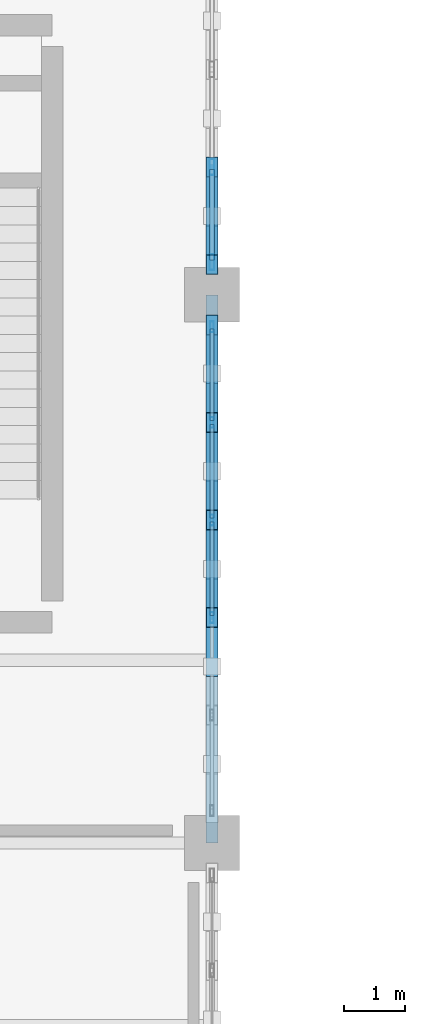
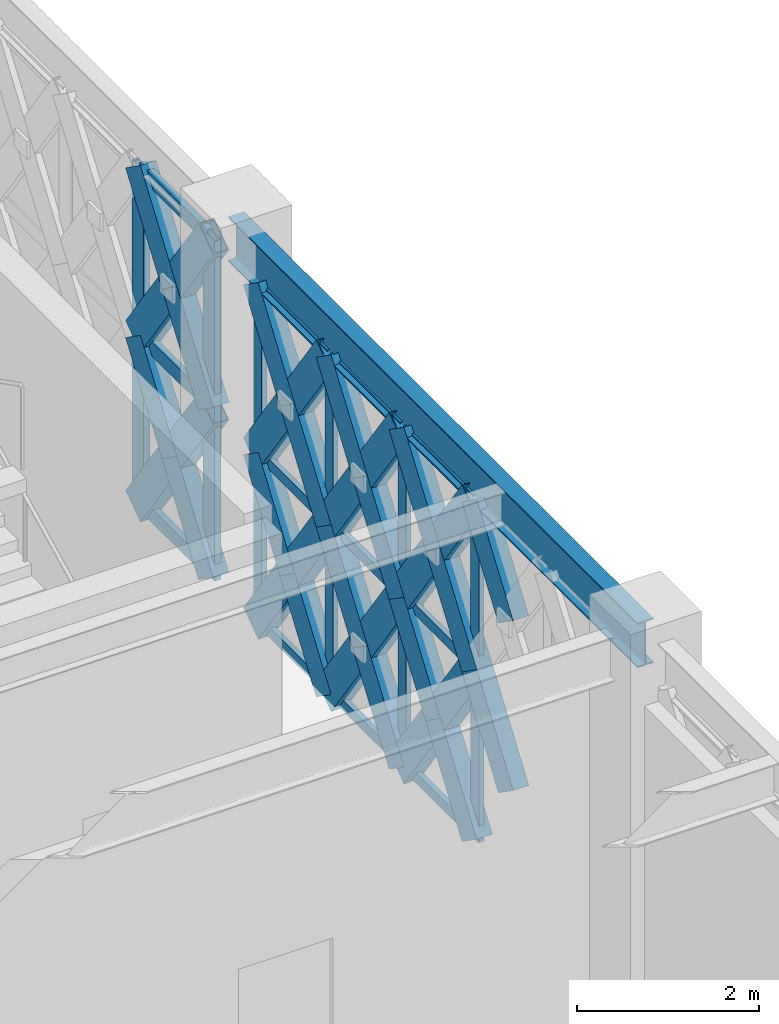
# One storey, part 27 of 155: 44 members, 1 beam, 2 elements without a shape of their own.
"""IFC4 building model written with IfcOpenShell, lengths in metres."""

from ifc_helpers import new_model, si_unit, direction, frame, origin, origin_2d, place, context, subcontext, project, spatial, hollow_rectangle, i_section, extrude, material, material_profile, profile_set, type_object, element, aggregate, save


model = new_model("IFC4")

# Units and contexts
model_context = context("Model", 3, precision=1e-05, world=origin(), true_north=direction((0.0, 1.0)))
body_context = subcontext(model_context, "Body", "Model", "MODEL_VIEW")
ifc_project = project(units=[si_unit("LENGTHUNIT", "METRE"), si_unit("AREAUNIT", "SQUARE_METRE"), si_unit("VOLUMEUNIT", "CUBIC_METRE"), si_unit("PLANEANGLEUNIT", "RADIAN"), si_unit("MASSUNIT", "GRAM", prefix="KILO")], contexts=[model_context])

# Site, building, storey
site_placement = place(None, origin())
site = spatial("IfcSite", under=ifc_project, at=site_placement, CompositionType="ELEMENT")
building_placement = place(site_placement, origin())
building = spatial("IfcBuilding", under=site, at=building_placement, Name="Haizhuo Lancet Aquarium", CompositionType="ELEMENT")
storey_placement = place(building_placement, frame((0.0, 0.0, 10.800048828125)))
storey = spatial("IfcBuildingStorey", under=building, at=storey_placement, Name="L02", CompositionType="ELEMENT", Elevation=10.800048828125)

# Beam
ifc_material_1 = material(Name="Steel S355", Category="steel")
ifc_material_profile_1 = material_profile(ifc_material_1, i_section(OverallWidth=0.199951171875, OverallDepth=0.60009765625, WebThickness=0.010986328125, FlangeThickness=0.01708984375, FilletRadius=0.02197265625, at=origin_2d()), Name="HN 600x200x11x17")
ifc_profile_set_1 = profile_set([ifc_material_profile_1], Name="Steel S355")
beam_type = type_object("IfcBeamType", Name="BM-ST-HN600", PredefinedType="BEAM", material=ifc_profile_set_1)
beam_placement = place(storey_placement, frame((-36.0, -27.0, 4.85986328125), z_axis=(0.0, 1.0, 0.0), x_axis=(-1.0, 0.0, 0.0)))
element("IfcBeam", 1, at=beam_placement, inside=storey, type_object=beam_type, Name="L02 V6 primary girder BM-L02-V6-028", PredefinedType="BEAM", context=body_context, shape_type="SweptSolid", body=[
    extrude(i_section(OverallWidth=0.199951171875, OverallDepth=0.60009765625, WebThickness=0.010986328125, FlangeThickness=0.01708984375, FilletRadius=0.02197265625, at=origin_2d()), origin(), (0.0, 0.0, 1.0), 9.0),
])

# Curtain wall, members
ifc_material_2 = material(Name="Aluminium 6063-T6", Category="aluminium")
curtain_wall_type = type_object("IfcCurtainWallType", Name="CWD-8010x4560", PredefinedType="NOTDEFINED", material=ifc_material_2)
curtain_wall_1_placement = place(storey_placement, origin())
curtain_wall_1 = element("IfcCurtainWall", 2, at=curtain_wall_1_placement, inside=storey, type_object=curtain_wall_type, Name="L02 curtain wall CW-V6-L02-220", PredefinedType="NOTDEFINED")
ifc_material_profile_2 = material_profile(ifc_material_2, hollow_rectangle(XDim=0.06494140625, YDim=0.179931640625, WallThickness=0.00390625, at=origin_2d()), Name="ALU-M 65x180x4")
ifc_profile_set_2 = profile_set([ifc_material_profile_2], Name="Aluminium 6063-T6")
member_type_1 = type_object("IfcMemberType", Name="CW-MUL-1", PredefinedType="MULLION", material=ifc_profile_set_2)
member_1_placement = place(storey_placement, frame((-36.0, -18.527099609375, 0.0), z_axis=(0.0, 0.0, 1.0), x_axis=(1.0, 0.0, 0.0)))
member_1 = element("IfcMember", 3, at=member_1_placement, type_object=member_type_1, Name="CWD-80x45 mullion 1", PredefinedType="MULLION", context=body_context, shape_type="SweptSolid", body=[
    extrude(hollow_rectangle(XDim=0.06494140625, YDim=0.179931640625, WallThickness=0.00390625, at=origin_2d()), origin(), (0.0, 0.0, 1.0), 4.56005859375),
])
member_2_placement = place(storey_placement, frame((-36.0, -20.096923828125, 0.0), z_axis=(0.0, 0.0, 1.0), x_axis=(1.0, 0.0, 0.0)))
member_2 = element("IfcMember", 4, at=member_2_placement, type_object=member_type_1, Name="CWD-80x45 mullion 2", PredefinedType="MULLION", context=body_context, shape_type="SweptSolid", body=[
    extrude(hollow_rectangle(XDim=0.06494140625, YDim=0.179931640625, WallThickness=0.00390625, at=origin_2d()), origin(), (0.0, 0.0, 1.0), 4.56005859375),
])
member_3_placement = place(storey_placement, frame((-36.0, -21.698974609375, 0.0), z_axis=(0.0, 0.0, 1.0), x_axis=(1.0, 0.0, 0.0)))
member_3 = element("IfcMember", 5, at=member_3_placement, type_object=member_type_1, Name="CWD-80x45 mullion 3", PredefinedType="MULLION", context=body_context, shape_type="SweptSolid", body=[
    extrude(hollow_rectangle(XDim=0.06494140625, YDim=0.179931640625, WallThickness=0.00390625, at=origin_2d()), origin(), (0.0, 0.0, 1.0), 4.56005859375),
])
member_4_placement = place(storey_placement, frame((-36.0, -23.301025390625, 0.0), z_axis=(0.0, 0.0, 1.0), x_axis=(1.0, 0.0, 0.0)))
member_4 = element("IfcMember", 6, at=member_4_placement, type_object=member_type_1, Name="CWD-80x45 mullion 4", PredefinedType="MULLION", context=body_context, shape_type="SweptSolid", body=[
    extrude(hollow_rectangle(XDim=0.06494140625, YDim=0.179931640625, WallThickness=0.00390625, at=origin_2d()), origin(), (0.0, 0.0, 1.0), 4.56005859375),
])

curtain_wall_2_placement = place(storey_placement, origin())
curtain_wall_2 = element("IfcCurtainWall", 7, at=curtain_wall_2_placement, inside=storey, type_object=curtain_wall_type, Name="L02 curtain wall CW-V6-L02-219", PredefinedType="NOTDEFINED")
ifc_material_profile_3 = material_profile(ifc_material_2, hollow_rectangle(XDim=0.080078125, YDim=0.260009765625, WallThickness=0.0048828125, at=origin_2d()), Name="ALU-M 80x260x5")
ifc_profile_set_3 = profile_set([ifc_material_profile_3], Name="Aluminium 6063-T6")
member_type_2 = type_object("IfcMemberType", Name="CW-MUL-3", PredefinedType="MULLION", material=ifc_profile_set_3)
member_5_placement = place(storey_placement, frame((-36.0, -15.903076171875, 0.0), z_axis=(0.0, 0.0, 1.0), x_axis=(1.0, 0.0, 0.0)))
member_5 = element("IfcMember", 8, at=member_5_placement, type_object=member_type_2, Name="CWD-80x45 mullion 5", PredefinedType="MULLION", context=body_context, shape_type="SweptSolid", body=[
    extrude(hollow_rectangle(XDim=0.080078125, YDim=0.260009765625, WallThickness=0.0048828125, at=origin_2d()), origin(), (0.0, 0.0, 1.0), 4.56005859375),
])
member_6_placement = place(storey_placement, frame((-36.0, -17.465087890625, 0.0), z_axis=(0.0, 0.0, 1.0), x_axis=(1.0, 0.0, 0.0)))
member_6 = element("IfcMember", 9, at=member_6_placement, type_object=member_type_2, Name="CWD-80x45 mullion 6", PredefinedType="MULLION", context=body_context, shape_type="SweptSolid", body=[
    extrude(hollow_rectangle(XDim=0.080078125, YDim=0.260009765625, WallThickness=0.0048828125, at=origin_2d()), origin(), (0.0, 0.0, 1.0), 4.56005859375),
])

# Member
ifc_material_profile_4 = material_profile(ifc_material_2, hollow_rectangle(XDim=0.06494140625, YDim=0.139892578125, WallThickness=0.00390625, at=origin_2d()), Name="ALU-T 65x140x4")
ifc_profile_set_4 = profile_set([ifc_material_profile_4], Name="Aluminium 6063-T6")
member_type_3 = type_object("IfcMemberType", Name="CW-TRN-1", PredefinedType="NOTDEFINED", material=ifc_profile_set_4)
member_7_placement = place(storey_placement, frame((-36.0, -18.56005859375, 0.032958984375), z_axis=(0.0, -1.0, 0.0), x_axis=(1.0, 0.0, 0.0)))
member_7 = element("IfcMember", 10, at=member_7_placement, type_object=member_type_3, Name="CWD-80x45 transom 1.1", ObjectType="TRANSOM", PredefinedType="USERDEFINED", context=body_context, shape_type="SweptSolid", body=[
    extrude(hollow_rectangle(XDim=0.06494140625, YDim=0.139892578125, WallThickness=0.00390625, at=origin_2d()), origin(), (0.0, 0.0, 1.0), 1.5048828125),
])

member_8_placement = place(storey_placement, frame((-36.0, -18.56005859375, 2.280029296875), z_axis=(0.0, -1.0, 0.0), x_axis=(1.0, 0.0, 0.0)))
member_8 = element("IfcMember", 11, at=member_8_placement, type_object=member_type_3, Name="CWD-80x45 transom 1.2", ObjectType="TRANSOM", PredefinedType="USERDEFINED", context=body_context, shape_type="SweptSolid", body=[
    extrude(hollow_rectangle(XDim=0.06494140625, YDim=0.139892578125, WallThickness=0.00390625, at=origin_2d()), origin(), (0.0, 0.0, 1.0), 1.5048828125),
])

member_9_placement = place(storey_placement, frame((-36.0, -18.56005859375, 4.52685546875), z_axis=(0.0, -1.0, 0.0), x_axis=(1.0, 0.0, 0.0)))
member_9 = element("IfcMember", 12, at=member_9_placement, type_object=member_type_3, Name="CWD-80x45 transom 1.3", ObjectType="TRANSOM", PredefinedType="USERDEFINED", context=body_context, shape_type="SweptSolid", body=[
    extrude(hollow_rectangle(XDim=0.06494140625, YDim=0.139892578125, WallThickness=0.00390625, at=origin_2d()), origin(), (0.0, 0.0, 1.0), 1.5048828125),
])

member_10_placement = place(storey_placement, frame((-36.0, -20.1298828125, 0.032958984375), z_axis=(0.0, -1.0, 0.0), x_axis=(1.0, 0.0, 0.0)))
member_10 = element("IfcMember", 13, at=member_10_placement, type_object=member_type_3, Name="CWD-80x45 transom 2.1", ObjectType="TRANSOM", PredefinedType="USERDEFINED", context=body_context, shape_type="SweptSolid", body=[
    extrude(hollow_rectangle(XDim=0.06494140625, YDim=0.139892578125, WallThickness=0.00390625, at=origin_2d()), origin(), (0.0, 0.0, 1.0), 1.5361328125),
])

member_11_placement = place(storey_placement, frame((-36.0, -20.1298828125, 2.280029296875), z_axis=(0.0, -1.0, 0.0), x_axis=(1.0, 0.0, 0.0)))
member_11 = element("IfcMember", 14, at=member_11_placement, type_object=member_type_3, Name="CWD-80x45 transom 2.2", ObjectType="TRANSOM", PredefinedType="USERDEFINED", context=body_context, shape_type="SweptSolid", body=[
    extrude(hollow_rectangle(XDim=0.06494140625, YDim=0.139892578125, WallThickness=0.00390625, at=origin_2d()), origin(), (0.0, 0.0, 1.0), 1.5361328125),
])

member_12_placement = place(storey_placement, frame((-36.0, -20.1298828125, 4.52685546875), z_axis=(0.0, -1.0, 0.0), x_axis=(1.0, 0.0, 0.0)))
member_12 = element("IfcMember", 15, at=member_12_placement, type_object=member_type_3, Name="CWD-80x45 transom 2.3", ObjectType="TRANSOM", PredefinedType="USERDEFINED", context=body_context, shape_type="SweptSolid", body=[
    extrude(hollow_rectangle(XDim=0.06494140625, YDim=0.139892578125, WallThickness=0.00390625, at=origin_2d()), origin(), (0.0, 0.0, 1.0), 1.5361328125),
])

member_13_placement = place(storey_placement, frame((-36.0, -21.73193359375, 0.032958984375), z_axis=(0.0, -1.0, 0.0), x_axis=(1.0, 0.0, 0.0)))
member_13 = element("IfcMember", 16, at=member_13_placement, type_object=member_type_3, Name="CWD-80x45 transom 3.1", ObjectType="TRANSOM", PredefinedType="USERDEFINED", context=body_context, shape_type="SweptSolid", body=[
    extrude(hollow_rectangle(XDim=0.06494140625, YDim=0.139892578125, WallThickness=0.00390625, at=origin_2d()), origin(), (0.0, 0.0, 1.0), 1.5361328125),
])

member_14_placement = place(storey_placement, frame((-36.0, -21.73193359375, 2.280029296875), z_axis=(0.0, -1.0, 0.0), x_axis=(1.0, 0.0, 0.0)))
member_14 = element("IfcMember", 17, at=member_14_placement, type_object=member_type_3, Name="CWD-80x45 transom 3.2", ObjectType="TRANSOM", PredefinedType="USERDEFINED", context=body_context, shape_type="SweptSolid", body=[
    extrude(hollow_rectangle(XDim=0.06494140625, YDim=0.139892578125, WallThickness=0.00390625, at=origin_2d()), origin(), (0.0, 0.0, 1.0), 1.5361328125),
])

member_15_placement = place(storey_placement, frame((-36.0, -21.73193359375, 4.52685546875), z_axis=(0.0, -1.0, 0.0), x_axis=(1.0, 0.0, 0.0)))
member_15 = element("IfcMember", 18, at=member_15_placement, type_object=member_type_3, Name="CWD-80x45 transom 3.3", ObjectType="TRANSOM", PredefinedType="USERDEFINED", context=body_context, shape_type="SweptSolid", body=[
    extrude(hollow_rectangle(XDim=0.06494140625, YDim=0.139892578125, WallThickness=0.00390625, at=origin_2d()), origin(), (0.0, 0.0, 1.0), 1.5361328125),
])

aggregate(curtain_wall_1, [member_1, member_2, member_3, member_4, member_7, member_8, member_9, member_10, member_11, member_12, member_13, member_14, member_15])

ifc_material_profile_5 = material_profile(ifc_material_2, hollow_rectangle(XDim=0.080078125, YDim=0.18994140625, WallThickness=0.0048828125, at=origin_2d()), Name="ALU-T 80x190x5")
ifc_profile_set_5 = profile_set([ifc_material_profile_5], Name="Aluminium 6063-T6")
member_type_4 = type_object("IfcMemberType", Name="CW-TRN-3", PredefinedType="NOTDEFINED", material=ifc_profile_set_5)
member_16_placement = place(storey_placement, frame((-36.0, -15.943115234375, 0.0400390625), z_axis=(0.0, -1.0, 0.0), x_axis=(1.0, 0.0, 0.0)))
member_16 = element("IfcMember", 19, at=member_16_placement, type_object=member_type_4, Name="CWD-80x45 transom 5.1", ObjectType="TRANSOM", PredefinedType="USERDEFINED", context=body_context, shape_type="SweptSolid", body=[
    extrude(hollow_rectangle(XDim=0.080078125, YDim=0.18994140625, WallThickness=0.0048828125, at=origin_2d()), origin(), (0.0, 0.0, 1.0), 1.48193359375),
])

member_17_placement = place(storey_placement, frame((-36.0, -15.943115234375, 2.280029296875), z_axis=(0.0, -1.0, 0.0), x_axis=(1.0, 0.0, 0.0)))
member_17 = element("IfcMember", 20, at=member_17_placement, type_object=member_type_4, Name="CWD-80x45 transom 5.2", ObjectType="TRANSOM", PredefinedType="USERDEFINED", context=body_context, shape_type="SweptSolid", body=[
    extrude(hollow_rectangle(XDim=0.080078125, YDim=0.18994140625, WallThickness=0.0048828125, at=origin_2d()), origin(), (0.0, 0.0, 1.0), 1.48193359375),
])

member_18_placement = place(storey_placement, frame((-36.0, -15.943115234375, 4.52001953125), z_axis=(0.0, -1.0, 0.0), x_axis=(1.0, 0.0, 0.0)))
member_18 = element("IfcMember", 21, at=member_18_placement, type_object=member_type_4, Name="CWD-80x45 transom 5.3", ObjectType="TRANSOM", PredefinedType="USERDEFINED", context=body_context, shape_type="SweptSolid", body=[
    extrude(hollow_rectangle(XDim=0.080078125, YDim=0.18994140625, WallThickness=0.0048828125, at=origin_2d()), origin(), (0.0, 0.0, 1.0), 1.48193359375),
])

aggregate(curtain_wall_2, [member_5, member_6, member_16, member_17, member_18])

# Members
ifc_material_profile_6 = material_profile(ifc_material_1, hollow_rectangle(XDim=0.199951171875, YDim=0.39990234375, WallThickness=0.011962890625, at=origin_2d()), Name="RHS 200x400x12")
ifc_profile_set_6 = profile_set([ifc_material_profile_6], Name="Steel S355")
member_type_5 = type_object("IfcMemberType", Name="MEM-LB-RHS200x400", PredefinedType="BRACE", material=ifc_profile_set_6)
member_19_placement = place(storey_placement, frame((-36.0, -15.903076171875, 0.0), z_axis=(0.0, -0.574855154156, 0.81825518742), x_axis=(1.0, 0.0, 0.0)))
element("IfcMember", 22, at=member_19_placement, inside=storey, type_object=member_type_5, Name="Gothic lancet continuous diagonal brace CW-V6-L02-219 9A", PredefinedType="BRACE", context=body_context, shape_type="SweptSolid", body=[
    extrude(hollow_rectangle(XDim=0.199951171875, YDim=0.39990234375, WallThickness=0.011962890625, at=origin_2d()), origin(), (0.0, 0.0, 1.0), 2.786376953125),
])
member_20_placement = place(storey_placement, frame((-36.0, -17.5048828125, 0.0), z_axis=(0.0, 0.5748377018, 0.818267448081), x_axis=(-1.0, 0.0, 0.0)))
element("IfcMember", 23, at=member_20_placement, inside=storey, type_object=member_type_5, Name="Gothic lancet split diagonal brace CW-V6-L02-219 9B1", PredefinedType="BRACE", context=body_context, shape_type="SweptSolid", body=[
    extrude(hollow_rectangle(XDim=0.199951171875, YDim=0.39990234375, WallThickness=0.011962890625, at=origin_2d()), origin(), (0.0, 0.0, 1.0), 1.39306640625),
])
member_21_placement = place(storey_placement, frame((-36.0, -16.7041015625, 1.139892578125), z_axis=(0.0, 0.574872601991, 0.81824292938), x_axis=(-1.0, 0.0, 0.0)))
element("IfcMember", 24, at=member_21_placement, inside=storey, type_object=member_type_5, Name="Gothic lancet split diagonal brace CW-V6-L02-219 9B2", PredefinedType="BRACE", context=body_context, shape_type="SweptSolid", body=[
    extrude(hollow_rectangle(XDim=0.199951171875, YDim=0.39990234375, WallThickness=0.011962890625, at=origin_2d()), origin(), (0.0, 0.0, 1.0), 1.393310546875),
])
member_22_placement = place(storey_placement, frame((-36.0, -15.903076171875, 2.280029296875), z_axis=(0.0, -0.574855154156, 0.81825518742), x_axis=(1.0, 0.0, 0.0)))
element("IfcMember", 25, at=member_22_placement, inside=storey, type_object=member_type_5, Name="Gothic lancet continuous diagonal brace CW-V6-L02-219 10A", PredefinedType="BRACE", context=body_context, shape_type="SweptSolid", body=[
    extrude(hollow_rectangle(XDim=0.199951171875, YDim=0.39990234375, WallThickness=0.011962890625, at=origin_2d()), origin(), (0.0, 0.0, 1.0), 2.786376953125),
])
member_23_placement = place(storey_placement, frame((-36.0, -17.5048828125, 2.280029296875), z_axis=(0.0, 0.5748377018, 0.818267448081), x_axis=(-1.0, 0.0, 0.0)))
element("IfcMember", 26, at=member_23_placement, inside=storey, type_object=member_type_5, Name="Gothic lancet split diagonal brace CW-V6-L02-219 10B1", PredefinedType="BRACE", context=body_context, shape_type="SweptSolid", body=[
    extrude(hollow_rectangle(XDim=0.199951171875, YDim=0.39990234375, WallThickness=0.011962890625, at=origin_2d()), origin(), (0.0, 0.0, 1.0), 1.39306640625),
])
member_24_placement = place(storey_placement, frame((-36.0, -16.7041015625, 3.419921875), z_axis=(0.0, 0.574872601991, 0.81824292938), x_axis=(-1.0, 0.0, 0.0)))
element("IfcMember", 27, at=member_24_placement, inside=storey, type_object=member_type_5, Name="Gothic lancet split diagonal brace CW-V6-L02-219 10B2", PredefinedType="BRACE", context=body_context, shape_type="SweptSolid", body=[
    extrude(hollow_rectangle(XDim=0.199951171875, YDim=0.39990234375, WallThickness=0.011962890625, at=origin_2d()), origin(), (0.0, 0.0, 1.0), 1.393310546875),
])
member_25_placement = place(storey_placement, frame((-36.0, -18.4951171875, 0.0), z_axis=(0.0, -0.574855154156, 0.81825518742), x_axis=(1.0, 0.0, 0.0)))
element("IfcMember", 28, at=member_25_placement, inside=storey, type_object=member_type_5, Name="Gothic lancet continuous diagonal brace CW-V6-L02-220 1A", PredefinedType="BRACE", context=body_context, shape_type="SweptSolid", body=[
    extrude(hollow_rectangle(XDim=0.199951171875, YDim=0.39990234375, WallThickness=0.011962890625, at=origin_2d()), origin(), (0.0, 0.0, 1.0), 2.786376953125),
])
for number, where, z_axis, x_axis, name in (
    (29, (-36.0, -20.096923828125, 0.0), (0.0, 0.574955028356, 0.818185012921), (-1.0, 0.0, 0.0), "Gothic lancet split diagonal brace CW-V6-L02-220 1B1"),
    (30, (-36.0, -19.2958984375, 1.139892578125), (0.0, 0.574755275652, 0.818325346736), (-1.0, 0.0, 0.0), "Gothic lancet split diagonal brace CW-V6-L02-220 1B2"),
):
    element("IfcMember", number, at=place(storey_placement, frame(where, z_axis=z_axis, x_axis=x_axis)), inside=storey, type_object=member_type_5, Name=name, PredefinedType="BRACE", context=body_context, shape_type="SweptSolid", body=[
        extrude(hollow_rectangle(XDim=0.199951171875, YDim=0.39990234375, WallThickness=0.011962890625, at=origin_2d()), origin(), (0.0, 0.0, 1.0), 1.393310546875),
    ])
member_26_placement = place(storey_placement, frame((-36.0, -18.4951171875, 2.280029296875), z_axis=(0.0, -0.574855154156, 0.81825518742), x_axis=(1.0, 0.0, 0.0)))
element("IfcMember", 31, at=member_26_placement, inside=storey, type_object=member_type_5, Name="Gothic lancet continuous diagonal brace CW-V6-L02-220 2A", PredefinedType="BRACE", context=body_context, shape_type="SweptSolid", body=[
    extrude(hollow_rectangle(XDim=0.199951171875, YDim=0.39990234375, WallThickness=0.011962890625, at=origin_2d()), origin(), (0.0, 0.0, 1.0), 2.786376953125),
])
for number, where, z_axis, x_axis, name in (
    (32, (-36.0, -20.096923828125, 2.280029296875), (0.0, 0.574955028356, 0.818185012921), (-1.0, 0.0, 0.0), "Gothic lancet split diagonal brace CW-V6-L02-220 2B1"),
    (33, (-36.0, -19.2958984375, 3.419921875), (0.0, 0.574755275652, 0.818325346736), (-1.0, 0.0, 0.0), "Gothic lancet split diagonal brace CW-V6-L02-220 2B2"),
):
    element("IfcMember", number, at=place(storey_placement, frame(where, z_axis=z_axis, x_axis=x_axis)), inside=storey, type_object=member_type_5, Name=name, PredefinedType="BRACE", context=body_context, shape_type="SweptSolid", body=[
        extrude(hollow_rectangle(XDim=0.199951171875, YDim=0.39990234375, WallThickness=0.011962890625, at=origin_2d()), origin(), (0.0, 0.0, 1.0), 1.393310546875),
    ])
member_27_placement = place(storey_placement, frame((-36.0, -20.096923828125, 0.0), z_axis=(0.0, -0.574913812948, 0.818213974264), x_axis=(1.0, 0.0, 0.0)))
element("IfcMember", 34, at=member_27_placement, inside=storey, type_object=member_type_5, Name="Gothic lancet continuous diagonal brace CW-V6-L02-220 3A", PredefinedType="BRACE", context=body_context, shape_type="SweptSolid", body=[
    extrude(hollow_rectangle(XDim=0.199951171875, YDim=0.39990234375, WallThickness=0.011962890625, at=origin_2d()), origin(), (0.0, 0.0, 1.0), 2.78662109375),
])
for number, where, z_axis, x_axis, name in (
    (35, (-36.0, -21.698974609375, 0.0), (0.0, 0.574955028356, 0.818185012921), (-1.0, 0.0, 0.0), "Gothic lancet split diagonal brace CW-V6-L02-220 3B1"),
    (36, (-36.0, -20.89794921875, 1.139892578125), (0.0, 0.574872601991, 0.81824292938), (-1.0, 0.0, 0.0), "Gothic lancet split diagonal brace CW-V6-L02-220 3B2"),
):
    element("IfcMember", number, at=place(storey_placement, frame(where, z_axis=z_axis, x_axis=x_axis)), inside=storey, type_object=member_type_5, Name=name, PredefinedType="BRACE", context=body_context, shape_type="SweptSolid", body=[
        extrude(hollow_rectangle(XDim=0.199951171875, YDim=0.39990234375, WallThickness=0.011962890625, at=origin_2d()), origin(), (0.0, 0.0, 1.0), 1.393310546875),
    ])
member_28_placement = place(storey_placement, frame((-36.0, -20.096923828125, 2.280029296875), z_axis=(0.0, -0.574913812948, 0.818213974264), x_axis=(1.0, 0.0, 0.0)))
element("IfcMember", 37, at=member_28_placement, inside=storey, type_object=member_type_5, Name="Gothic lancet continuous diagonal brace CW-V6-L02-220 4A", PredefinedType="BRACE", context=body_context, shape_type="SweptSolid", body=[
    extrude(hollow_rectangle(XDim=0.199951171875, YDim=0.39990234375, WallThickness=0.011962890625, at=origin_2d()), origin(), (0.0, 0.0, 1.0), 2.78662109375),
])
for number, where, z_axis, x_axis, name in (
    (38, (-36.0, -21.698974609375, 2.280029296875), (0.0, 0.574955028356, 0.818185012921), (-1.0, 0.0, 0.0), "Gothic lancet split diagonal brace CW-V6-L02-220 4B1"),
    (39, (-36.0, -20.89794921875, 3.419921875), (0.0, 0.574872601991, 0.81824292938), (-1.0, 0.0, 0.0), "Gothic lancet split diagonal brace CW-V6-L02-220 4B2"),
):
    element("IfcMember", number, at=place(storey_placement, frame(where, z_axis=z_axis, x_axis=x_axis)), inside=storey, type_object=member_type_5, Name=name, PredefinedType="BRACE", context=body_context, shape_type="SweptSolid", body=[
        extrude(hollow_rectangle(XDim=0.199951171875, YDim=0.39990234375, WallThickness=0.011962890625, at=origin_2d()), origin(), (0.0, 0.0, 1.0), 1.393310546875),
    ])
member_29_placement = place(storey_placement, frame((-36.0, -21.698974609375, 0.0), z_axis=(0.0, -0.574913812948, 0.818213974264), x_axis=(1.0, 0.0, 0.0)))
element("IfcMember", 40, at=member_29_placement, inside=storey, type_object=member_type_5, Name="Gothic lancet continuous diagonal brace CW-V6-L02-220 5A", PredefinedType="BRACE", context=body_context, shape_type="SweptSolid", body=[
    extrude(hollow_rectangle(XDim=0.199951171875, YDim=0.39990234375, WallThickness=0.011962890625, at=origin_2d()), origin(), (0.0, 0.0, 1.0), 2.78662109375),
])
for number, where, z_axis, x_axis, name in (
    (41, (-36.0, -23.301025390625, 0.0), (0.0, 0.574955028356, 0.818185012921), (-1.0, 0.0, 0.0), "Gothic lancet split diagonal brace CW-V6-L02-220 5B1"),
    (42, (-36.0, -22.5, 1.139892578125), (0.0, 0.574872601991, 0.81824292938), (-1.0, 0.0, 0.0), "Gothic lancet split diagonal brace CW-V6-L02-220 5B2"),
):
    element("IfcMember", number, at=place(storey_placement, frame(where, z_axis=z_axis, x_axis=x_axis)), inside=storey, type_object=member_type_5, Name=name, PredefinedType="BRACE", context=body_context, shape_type="SweptSolid", body=[
        extrude(hollow_rectangle(XDim=0.199951171875, YDim=0.39990234375, WallThickness=0.011962890625, at=origin_2d()), origin(), (0.0, 0.0, 1.0), 1.393310546875),
    ])
member_30_placement = place(storey_placement, frame((-36.0, -21.698974609375, 2.280029296875), z_axis=(0.0, -0.574913812948, 0.818213974264), x_axis=(1.0, 0.0, 0.0)))
element("IfcMember", 43, at=member_30_placement, inside=storey, type_object=member_type_5, Name="Gothic lancet continuous diagonal brace CW-V6-L02-220 6A", PredefinedType="BRACE", context=body_context, shape_type="SweptSolid", body=[
    extrude(hollow_rectangle(XDim=0.199951171875, YDim=0.39990234375, WallThickness=0.011962890625, at=origin_2d()), origin(), (0.0, 0.0, 1.0), 2.78662109375),
])
for number, where, z_axis, x_axis, name in (
    (44, (-36.0, -23.301025390625, 2.280029296875), (0.0, 0.574955028356, 0.818185012921), (-1.0, 0.0, 0.0), "Gothic lancet split diagonal brace CW-V6-L02-220 6B1"),
    (45, (-36.0, -22.5, 3.419921875), (0.0, 0.574872601991, 0.81824292938), (-1.0, 0.0, 0.0), "Gothic lancet split diagonal brace CW-V6-L02-220 6B2"),
    (46, (-36.0, -24.10205078125, 1.139892578125), (0.0, 0.574872601991, 0.81824292938), (-1.0, 0.0, 0.0), "Gothic lancet split diagonal brace CW-V6-L02-220 7B2"),
    (47, (-36.0, -24.10205078125, 3.419921875), (0.0, 0.574872601991, 0.81824292938), (-1.0, 0.0, 0.0), "Gothic lancet split diagonal brace CW-V6-L02-220 8B2"),
):
    element("IfcMember", number, at=place(storey_placement, frame(where, z_axis=z_axis, x_axis=x_axis)), inside=storey, type_object=member_type_5, Name=name, PredefinedType="BRACE", context=body_context, shape_type="SweptSolid", body=[
        extrude(hollow_rectangle(XDim=0.199951171875, YDim=0.39990234375, WallThickness=0.011962890625, at=origin_2d()), origin(), (0.0, 0.0, 1.0), 1.393310546875),
    ])

save(model, "model.ifc")
